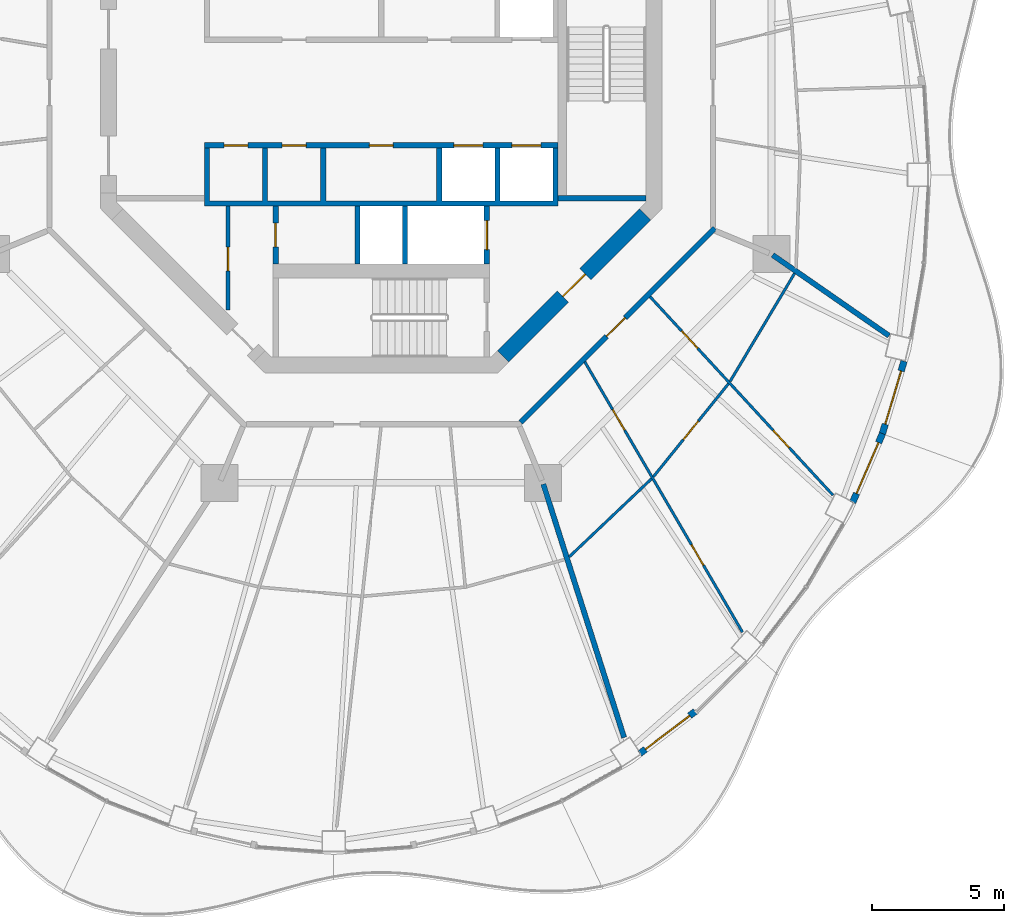
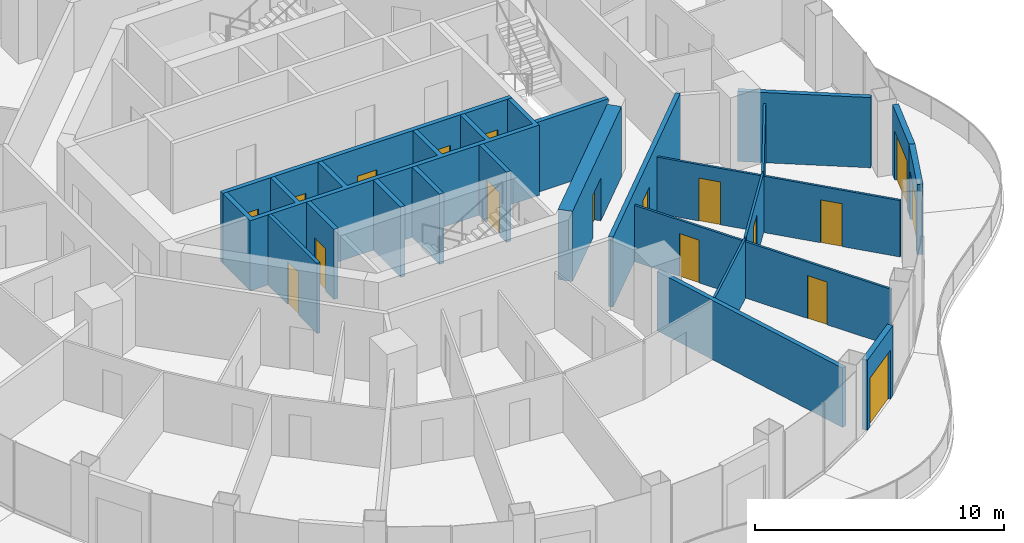
# One storey, part 11 of 17: 20 walls, 18 doors, 18 openings.
"""IFC4 building model written with IfcOpenShell, lengths in metres."""

from ifc_helpers import new_model, si_unit, direction, frame, frame_2d, origin, place, context, subcontext, project, spatial, polyline, rectangle, outline, extrude, material, layer, layer_set, type_object, element, fill, save


model = new_model("IFC4")

# Units and contexts
model_context = context("Model", 3, precision=1e-05, world=origin(), true_north=direction((0.0, 1.0)))
body_context = subcontext(model_context, "Body", "Model", "MODEL_VIEW")
ifc_project = project(units=[si_unit("LENGTHUNIT", "METRE"), si_unit("AREAUNIT", "SQUARE_METRE"), si_unit("VOLUMEUNIT", "CUBIC_METRE"), si_unit("PLANEANGLEUNIT", "RADIAN"), si_unit("MASSUNIT", "GRAM", prefix="KILO")], contexts=[model_context])

# Site, building, storey
site_placement = place(None, origin())
site = spatial("IfcSite", under=ifc_project, at=site_placement, CompositionType="ELEMENT")
building_placement = place(site_placement, origin())
building = spatial("IfcBuilding", under=site, at=building_placement, Name="Nagisa Residences", CompositionType="ELEMENT")
storey_placement = place(building_placement, frame((0.0, 0.0, 288.10009765625)))
storey = spatial("IfcBuildingStorey", under=building, at=storey_placement, Name="L73", CompositionType="ELEMENT", Elevation=288.10009765625)

# Walls
ifc_material_1 = material(Name="Gypsum board on steel studs", Category="steel")
ifc_layer_1 = layer(ifc_material_1, 0.199951171875)
ifc_layer_set_1 = layer_set([ifc_layer_1], Name="Apartment compartment wall EI60 200")
wall_type_1 = type_object("IfcWallType", Name="Apartment compartment wall EI60 200", PredefinedType="PARTITIONING", material=ifc_layer_set_1)
wall_1_placement = place(storey_placement, frame((6.13818359375, -14.82958984375, 0.0), z_axis=(0.0, 0.0, 1.0), x_axis=(0.303653679037, -0.952782474234, 0.0)))
element("IfcWall", 1, at=wall_1_placement, inside=storey, type_object=wall_type_1, Name="wall:L73:u11", PredefinedType="PARTITIONING", context=body_context, shape_type="SweptSolid", body=[
    extrude(rectangle(XDim=10.075927734375, YDim=0.199951171875, at=frame_2d((5.0380859375, 0.0))), origin(), (0.0, 0.0, 1.0), 2.90478515625),
])
wall_2_placement = place(storey_placement, frame((14.8232421875, -6.1513671875, 0.0), z_axis=(0.0, 0.0, 1.0), x_axis=(0.821435065081, -0.570302054928, 0.0)))
element("IfcWall", 2, at=wall_2_placement, inside=storey, type_object=wall_type_1, Name="wall:L73:u13", PredefinedType="PARTITIONING", context=body_context, shape_type="SweptSolid", body=[
    extrude(rectangle(XDim=5.3681640625, YDim=0.199951171875, at=frame_2d((2.68408203125, 0.0))), origin(), (0.0, 0.0, 1.0), 3.43994140625),
])

# Wall, opening, door
ifc_material_2 = material(Name="Gypsum board on steel studs", Category="steel")
ifc_layer_2 = layer(ifc_material_2, 0.199951171875)
ifc_layer_set_2 = layer_set([ifc_layer_2], Name="Apartment entry wall EI60 200")
wall_type_2 = type_object("IfcWallType", Name="Apartment entry wall EI60 200", PredefinedType="PARTITIONING", material=ifc_layer_set_2)
wall_3_placement = place(storey_placement, frame((5.275146484375, -12.494140625, 0.0), z_axis=(0.0, 0.0, 1.0), x_axis=(0.707106781187, 0.707106781187, 0.0)))
wall_3 = element("IfcWall", 3, at=wall_3_placement, inside=storey, type_object=wall_type_2, Name="wall:L73:u21", PredefinedType="PARTITIONING", context=body_context, shape_type="SweptSolid", body=[
    extrude(rectangle(XDim=10.4091796875, YDim=0.199951171875, at=frame_2d((5.20458984375, 0.0))), origin(), (0.0, 0.0, 1.0), 3.43994140625),
])
opening_1_placement = place(wall_3_placement, frame((4.6044921875, 0.0, 0.0)))
opening_1 = element("IfcOpeningElement", 4, at=opening_1_placement, cuts=wall_3, Name="Opening L73-U14", PredefinedType="OPENING", context=body_context, shape_type="SweptSolid", body=[
    extrude(rectangle(XDim=1.0, YDim=2.10009765625, at=frame_2d((0.5, 1.050048828125))), frame((0.0, 0.10986328125, 0.0), z_axis=(0.0, -1.0, 0.0), x_axis=(1.0, 0.0, 0.0)), (0.0, 0.0, 1.0), 0.219970703125),
])
ifc_material_3 = material(Name="Timber fire door set", Category="wood")
door_type_1 = type_object("IfcDoorType", Name="Apartment entry door FD30S 1000x2100", OperationType="NOTDEFINED", PredefinedType="DOOR", material=ifc_material_3)
door_1_placement = place(opening_1_placement, frame((1.0, 0.0, 0.0), x_axis=(-1.0, 0.0, 0.0)))
door_1 = element("IfcDoor", 5, at=door_1_placement, inside=storey, type_object=door_type_1, Name="Entry door, Apartment 73C", OperationType="SINGLE_SWING_LEFT", OverallHeight=2.10009765625, OverallWidth=1.0, PredefinedType="DOOR", context=body_context, shape_type="SweptSolid", body=[
    extrude(rectangle(XDim=1.0, YDim=2.10009765625, at=frame_2d((0.5, 1.050048828125))), frame((0.0, 0.02490234375, 0.0), z_axis=(0.0, -1.0, 0.0), x_axis=(1.0, 0.0, 0.0)), (0.0, 0.0, 1.0), 0.050048828125),
])
fill(opening_1, door_1)

# Wall
ifc_material_4 = material(Name="Gypsum board on steel studs", Category="steel")
ifc_layer_3 = layer(ifc_material_4, 0.10009765625)
ifc_layer_set_3 = layer_set([ifc_layer_3], Name="Apartment partition 100")
wall_type_3 = type_object("IfcWallType", Name="Apartment partition 100", PredefinedType="PARTITIONING", material=ifc_layer_set_3)
wall_4_placement = place(storey_placement, frame((7.113037109375, -17.592041015625, 0.0), z_axis=(0.0, 0.0, 1.0), x_axis=(0.725433932329, 0.688291805723, 0.0)))
element("IfcWall", 6, at=wall_4_placement, inside=storey, type_object=wall_type_3, Name="wall:L73:u64", PredefinedType="PARTITIONING", context=body_context, shape_type="SweptSolid", body=[
    extrude(rectangle(XDim=4.305419921875, YDim=0.10009765625, at=frame_2d((2.15283203125, 0.0))), origin(), (0.0, 0.0, 1.0), 2.90478515625),
])

# Wall, openings, doors
wall_5_placement = place(storey_placement, frame((7.708251953125, -10.19775390625, 0.0), z_axis=(0.0, 0.0, 1.0), x_axis=(0.503839015963, -0.863797572347, 0.0)))
wall_5 = element("IfcWall", 7, at=wall_5_placement, inside=storey, type_object=wall_type_3, Name="wall:L73:u65", PredefinedType="PARTITIONING", context=body_context, shape_type="SweptSolid", body=[
    extrude(rectangle(XDim=11.855712890625, YDim=0.10009765625, at=frame_2d((5.927734375, 0.0))), origin(), (0.0, 0.0, 1.0), 2.761962890625),
])
opening_2_placement = place(wall_5_placement, frame((2.094970703125, 0.0, 0.0)))
opening_2 = element("IfcOpeningElement", 8, at=opening_2_placement, cuts=wall_5, Name="Opening L73-U15", PredefinedType="OPENING", context=body_context, shape_type="SweptSolid", body=[
    extrude(rectangle(XDim=0.89990234375, YDim=2.10009765625, at=frame_2d((0.449951171875, 1.050048828125))), frame((0.0, 0.06005859375, 0.0), z_axis=(0.0, -1.0, 0.0), x_axis=(1.0, 0.0, 0.0)), (0.0, 0.0, 1.0), 0.1201171875),
])
opening_3_placement = place(wall_5_placement, frame((8.022705078125, 0.0, 0.0)))
opening_3 = element("IfcOpeningElement", 9, at=opening_3_placement, cuts=wall_5, Name="Opening L73-U19", PredefinedType="OPENING", context=body_context, shape_type="SweptSolid", body=[
    extrude(rectangle(XDim=0.89990234375, YDim=2.10009765625, at=frame_2d((0.449951171875, 1.050048828125))), frame((0.0, 0.06005859375, 0.0), z_axis=(0.0, -1.0, 0.0), x_axis=(1.0, 0.0, 0.0)), (0.0, 0.0, 1.0), 0.1201171875),
])
ifc_material_5 = material(Name="Timber door set", Category="wood")
door_type_2 = type_object("IfcDoorType", Name="Apartment door 900x2100", OperationType="NOTDEFINED", PredefinedType="DOOR", material=ifc_material_5)
door_2_placement = place(opening_2_placement, frame((0.89990234375, 0.0, 0.0), x_axis=(-1.0, 0.0, 0.0)))
door_2 = element("IfcDoor", 10, at=door_2_placement, inside=storey, type_object=door_type_2, Name="Door to family bathroom, Apartment 73C", OperationType="SINGLE_SWING_RIGHT", OverallHeight=2.10009765625, OverallWidth=0.89990234375, PredefinedType="DOOR", context=body_context, shape_type="SweptSolid", body=[
    extrude(rectangle(XDim=0.89990234375, YDim=2.10009765625, at=frame_2d((0.449951171875, 1.050048828125))), frame((0.0, 0.02490234375, 0.0), z_axis=(0.0, -1.0, 0.0), x_axis=(1.0, 0.0, 0.0)), (0.0, 0.0, 1.0), 0.050048828125),
])
fill(opening_2, door_2)
door_3_placement = place(opening_3_placement, frame((0.89990234375, 0.0, 0.0), x_axis=(-1.0, 0.0, 0.0)))
door_3 = element("IfcDoor", 11, at=door_3_placement, inside=storey, type_object=door_type_2, Name="Door to living room, Apartment 73C", OperationType="SINGLE_SWING_RIGHT", OverallHeight=2.10009765625, OverallWidth=0.89990234375, PredefinedType="DOOR", context=body_context, shape_type="SweptSolid", body=[
    extrude(rectangle(XDim=0.89990234375, YDim=2.10009765625, at=frame_2d((0.449951171875, 1.050048828125))), frame((0.0, 0.02490234375, 0.0), z_axis=(0.0, -1.0, 0.0), x_axis=(1.0, 0.0, 0.0)), (0.0, 0.0, 1.0), 0.050048828125),
])
fill(opening_3, door_3)

# Wall, opening, door
wall_6_placement = place(storey_placement, frame((10.303955078125, -14.555419921875, 0.0), z_axis=(0.0, 0.0, 1.0), x_axis=(0.628170338674, 0.778075848237, 0.0)))
wall_6 = element("IfcWall", 12, at=wall_6_placement, inside=storey, type_object=wall_type_3, Name="wall:L73:u66", PredefinedType="PARTITIONING", context=body_context, shape_type="SweptSolid", body=[
    extrude(rectangle(XDim=4.532470703125, YDim=0.10009765625, at=frame_2d((2.26611328125, 0.0))), origin(), (0.0, 0.0, 1.0), 2.90478515625),
])
opening_4_placement = place(wall_6_placement, frame((1.816162109375, 0.0, 0.0)))
opening_4 = element("IfcOpeningElement", 13, at=opening_4_placement, cuts=wall_6, Name="Opening L73-U17", PredefinedType="OPENING", context=body_context, shape_type="SweptSolid", body=[
    extrude(rectangle(XDim=0.89990234375, YDim=2.10009765625, at=frame_2d((0.449951171875, 1.050048828125))), frame((0.0, 0.06005859375, 0.0), z_axis=(0.0, -1.0, 0.0), x_axis=(1.0, 0.0, 0.0)), (0.0, 0.0, 1.0), 0.1201171875),
])
door_4_placement = place(opening_4_placement, frame((0.89990234375, 0.0, 0.0), x_axis=(-1.0, 0.0, 0.0)))
door_4 = element("IfcDoor", 14, at=door_4_placement, inside=storey, type_object=door_type_2, Name="Door to kitchen, Apartment 73C", OperationType="SINGLE_SWING_RIGHT", OverallHeight=2.10009765625, OverallWidth=0.89990234375, PredefinedType="DOOR", context=body_context, shape_type="SweptSolid", body=[
    extrude(rectangle(XDim=0.89990234375, YDim=2.10009765625, at=frame_2d((0.449951171875, 1.050048828125))), frame((0.0, 0.02490234375, 0.0), z_axis=(0.0, -1.0, 0.0), x_axis=(1.0, 0.0, 0.0)), (0.0, 0.0, 1.0), 0.050048828125),
])
fill(opening_4, door_4)

# Wall, openings, doors
wall_7_placement = place(storey_placement, frame((10.17919921875, -7.7314453125, 0.0), z_axis=(0.0, 0.0, 1.0), x_axis=(0.67775318564, -0.73528947997, 0.0)))
wall_7 = element("IfcWall", 15, at=wall_7_placement, inside=storey, type_object=wall_type_3, Name="wall:L73:u67", PredefinedType="PARTITIONING", context=body_context, shape_type="SweptSolid", body=[
    extrude(rectangle(XDim=10.221923828125, YDim=0.10009765625, at=frame_2d((5.11083984375, 0.0))), origin(), (0.0, 0.0, 1.0), 2.761962890625),
])
opening_5_placement = place(wall_7_placement, frame((1.765625, 0.0, 0.0)))
opening_5 = element("IfcOpeningElement", 16, at=opening_5_placement, cuts=wall_7, Name="Opening L73-U16", PredefinedType="OPENING", context=body_context, shape_type="SweptSolid", body=[
    extrude(rectangle(XDim=0.89990234375, YDim=2.10009765625, at=frame_2d((0.449951171875, 1.050048828125))), frame((0.0, 0.06005859375, 0.0), z_axis=(0.0, -1.0, 0.0), x_axis=(1.0, 0.0, 0.0)), (0.0, 0.0, 1.0), 0.1201171875),
])
opening_6_placement = place(wall_7_placement, frame((6.876708984375, 0.0, 0.0)))
opening_6 = element("IfcOpeningElement", 17, at=opening_6_placement, cuts=wall_7, Name="Opening L73-U18", PredefinedType="OPENING", context=body_context, shape_type="SweptSolid", body=[
    extrude(rectangle(XDim=0.89990234375, YDim=2.10009765625, at=frame_2d((0.449951171875, 1.050048828125))), frame((0.0, 0.06005859375, 0.0), z_axis=(0.0, -1.0, 0.0), x_axis=(1.0, 0.0, 0.0)), (0.0, 0.0, 1.0), 0.1201171875),
])
door_5_placement = place(opening_5_placement, origin())
door_5 = element("IfcDoor", 18, at=door_5_placement, inside=storey, type_object=door_type_2, Name="Door to laundry, Apartment 73C", OperationType="SINGLE_SWING_RIGHT", OverallHeight=2.10009765625, OverallWidth=0.89990234375, PredefinedType="DOOR", context=body_context, shape_type="SweptSolid", body=[
    extrude(rectangle(XDim=0.89990234375, YDim=2.10009765625, at=frame_2d((0.449951171875, 1.050048828125))), frame((0.0, 0.02490234375, 0.0), z_axis=(0.0, -1.0, 0.0), x_axis=(1.0, 0.0, 0.0)), (0.0, 0.0, 1.0), 0.050048828125),
])
fill(opening_5, door_5)
door_6_placement = place(opening_6_placement, origin())
door_6 = element("IfcDoor", 19, at=door_6_placement, inside=storey, type_object=door_type_2, Name="Door to master bedroom, Apartment 73C", OperationType="SINGLE_SWING_RIGHT", OverallHeight=2.10009765625, OverallWidth=0.89990234375, PredefinedType="DOOR", context=body_context, shape_type="SweptSolid", body=[
    extrude(rectangle(XDim=0.89990234375, YDim=2.10009765625, at=frame_2d((0.449951171875, 1.050048828125))), frame((0.0, 0.02490234375, 0.0), z_axis=(0.0, -1.0, 0.0), x_axis=(1.0, 0.0, 0.0)), (0.0, 0.0, 1.0), 0.050048828125),
])
fill(opening_6, door_6)

# Wall
wall_8_placement = place(storey_placement, frame((13.208251953125, -10.947021484375, 0.0), z_axis=(0.0, 0.0, 1.0), x_axis=(0.512726452516, 0.858552028063, 0.0)))
element("IfcWall", 20, at=wall_8_placement, inside=storey, type_object=wall_type_3, Name="wall:L73:u68", PredefinedType="PARTITIONING", context=body_context, shape_type="SweptSolid", body=[
    extrude(rectangle(XDim=4.771728515625, YDim=0.10009765625, at=frame_2d((2.3857421875, 0.0))), origin(), (0.0, 0.0, 1.0), 2.90478515625),
])

# Wall, opening, door
ifc_material_6 = material(Name="Precast concrete C40/50", Category="concrete")
ifc_layer_4 = layer(ifc_material_6, 0.25)
ifc_layer_set_4 = layer_set([ifc_layer_4], Name="BALCONY DOOR WALL 250")
wall_type_4 = type_object("IfcWallType", Name="BALCONY DOOR WALL 250", PredefinedType="SOLIDWALL", material=ifc_layer_set_4)
wall_9_placement = place(storey_placement, frame((11.89453125, -23.439208984375, 0.0), z_axis=(0.0, 0.0, 1.0), x_axis=(-0.796055284084, -0.605223912847, 0.0)))
wall_9 = element("IfcWall", 21, at=wall_9_placement, inside=storey, type_object=wall_type_4, Name="wall:L73:bay40", PredefinedType="SOLIDWALL", context=body_context, shape_type="SweptSolid", body=[
    extrude(rectangle(XDim=2.640625, YDim=0.25, at=frame_2d((1.3203125, 0.0))), origin(), (0.0, 0.0, 1.0), 3.43994140625),
])
opening_7_placement = place(wall_9_placement, frame((0.270263671875, 0.0, 0.0)))
opening_7 = element("IfcOpeningElement", 22, at=opening_7_placement, cuts=wall_9, Name="Opening BD-L73-14", PredefinedType="OPENING", context=body_context, shape_type="SweptSolid", body=[
    extrude(rectangle(XDim=2.10009765625, YDim=2.39990234375, at=frame_2d((1.050048828125, 1.199951171875))), frame((0.0, 0.135009765625, 0.0), z_axis=(0.0, -1.0, 0.0), x_axis=(1.0, 0.0, 0.0)), (0.0, 0.0, 1.0), 0.27001953125),
])
ifc_material_7 = material(Name="Aluminium and clear glass", Category="aluminium")
door_type_3 = type_object("IfcDoorType", Name="BALCONY SLIDING DOOR 2100x2400", OperationType="SLIDING_TO_LEFT", PredefinedType="DOOR", material=ifc_material_7)
door_7_placement = place(opening_7_placement, origin())
door_7 = element("IfcDoor", 23, at=door_7_placement, inside=storey, type_object=door_type_3, Name="door:L73:bay40", OperationType="SLIDING_TO_LEFT", OverallHeight=2.39990234375, OverallWidth=2.10009765625, PredefinedType="DOOR", context=body_context, shape_type="SweptSolid", body=[
    extrude(rectangle(XDim=2.10009765625, YDim=2.39990234375, at=frame_2d((1.050048828125, 1.199951171875))), frame((0.0, 0.02490234375, 0.0), z_axis=(0.0, -1.0, 0.0), x_axis=(1.0, 0.0, 0.0)), (0.0, 0.0, 1.0), 0.050048828125),
])
fill(opening_7, door_7)

wall_10_placement = place(storey_placement, frame((18.9833984375, -12.918212890625, 0.0), z_axis=(0.0, 0.0, 1.0), x_axis=(-0.397597791596, -0.9175598052, 0.0)))
wall_10 = element("IfcWall", 24, at=wall_10_placement, inside=storey, type_object=wall_type_4, Name="wall:L73:bay44", PredefinedType="SOLIDWALL", context=body_context, shape_type="SweptSolid", body=[
    extrude(rectangle(XDim=2.841064453125, YDim=0.25, at=frame_2d((1.42041015625, 0.0))), origin(), (0.0, 0.0, 1.0), 3.43994140625),
])
opening_8_placement = place(wall_10_placement, frame((0.37060546875, 0.0, 0.0)))
opening_8 = element("IfcOpeningElement", 25, at=opening_8_placement, cuts=wall_10, Name="Opening BD-L73-15", PredefinedType="OPENING", context=body_context, shape_type="SweptSolid", body=[
    extrude(rectangle(XDim=2.10009765625, YDim=2.39990234375, at=frame_2d((1.050048828125, 1.199951171875))), frame((0.0, 0.135009765625, 0.0), z_axis=(0.0, -1.0, 0.0), x_axis=(1.0, 0.0, 0.0)), (0.0, 0.0, 1.0), 0.27001953125),
])
door_8_placement = place(opening_8_placement, origin())
door_8 = element("IfcDoor", 26, at=door_8_placement, inside=storey, type_object=door_type_3, Name="door:L73:bay44", OperationType="SLIDING_TO_LEFT", OverallHeight=2.39990234375, OverallWidth=2.10009765625, PredefinedType="DOOR", context=body_context, shape_type="SweptSolid", body=[
    extrude(rectangle(XDim=2.10009765625, YDim=2.39990234375, at=frame_2d((1.050048828125, 1.199951171875))), frame((0.0, 0.02490234375, 0.0), z_axis=(0.0, -1.0, 0.0), x_axis=(1.0, 0.0, 0.0)), (0.0, 0.0, 1.0), 0.050048828125),
])
fill(opening_8, door_8)

wall_11_placement = place(storey_placement, frame((19.80078125, -10.17529296875, 0.0), z_axis=(0.0, 0.0, 1.0), x_axis=(-0.285899456462, -0.958259620768, 0.0)))
wall_11 = element("IfcWall", 27, at=wall_11_placement, inside=storey, type_object=wall_type_4, Name="wall:L73:bay45", PredefinedType="SOLIDWALL", context=body_context, shape_type="SweptSolid", body=[
    extrude(rectangle(XDim=2.876953125, YDim=0.25, at=frame_2d((1.4384765625, 0.0))), origin(), (0.0, 0.0, 1.0), 3.43994140625),
])
opening_9_placement = place(wall_11_placement, frame((0.388671875, 0.0, 0.0)))
opening_9 = element("IfcOpeningElement", 28, at=opening_9_placement, cuts=wall_11, Name="Opening BD-L73-16", PredefinedType="OPENING", context=body_context, shape_type="SweptSolid", body=[
    extrude(rectangle(XDim=2.10009765625, YDim=2.39990234375, at=frame_2d((1.050048828125, 1.199951171875))), frame((0.0, 0.135009765625, 0.0), z_axis=(0.0, -1.0, 0.0), x_axis=(1.0, 0.0, 0.0)), (0.0, 0.0, 1.0), 0.27001953125),
])
door_9_placement = place(opening_9_placement, origin())
door_9 = element("IfcDoor", 29, at=door_9_placement, inside=storey, type_object=door_type_3, Name="door:L73:bay45", OperationType="SLIDING_TO_LEFT", OverallHeight=2.39990234375, OverallWidth=2.10009765625, PredefinedType="DOOR", context=body_context, shape_type="SweptSolid", body=[
    extrude(rectangle(XDim=2.10009765625, YDim=2.39990234375, at=frame_2d((1.050048828125, 1.199951171875))), frame((0.0, 0.02490234375, 0.0), z_axis=(0.0, -1.0, 0.0), x_axis=(1.0, 0.0, 0.0)), (0.0, 0.0, 1.0), 0.050048828125),
])
fill(opening_9, door_9)

ifc_material_8 = material(Name="Gypsum board on steel studs", Category="steel")
ifc_layer_5 = layer(ifc_material_8, 0.14990234375)
ifc_layer_set_5 = layer_set([ifc_layer_5], Name="Core partition 150")
wall_type_5 = type_object("IfcWallType", Name="Core partition 150", PredefinedType="PARTITIONING", material=ifc_layer_set_5)
wall_12_placement = place(storey_placement, frame((-5.800048828125, -8.22705078125, 0.0), z_axis=(0.0, 0.0, 1.0), x_axis=(0.0, 1.0, 0.0)))
wall_12 = element("IfcWall", 30, at=wall_12_placement, inside=storey, type_object=wall_type_5, Name="wall:L73:SWp", PredefinedType="PARTITIONING", context=body_context, shape_type="SweptSolid", body=[
    extrude(rectangle(XDim=3.927001953125, YDim=0.14990234375, at=frame_2d((1.96337890625, 0.0))), origin(), (0.0, 0.0, 1.0), 3.43994140625),
])
opening_10_placement = place(wall_12_placement, frame((1.47607421875, 0.0, 0.0)))
opening_10 = element("IfcOpeningElement", 31, at=opening_10_placement, cuts=wall_12, Name="Opening L73-C11", PredefinedType="OPENING", context=body_context, shape_type="SweptSolid", body=[
    extrude(rectangle(XDim=0.89990234375, YDim=2.10009765625, at=frame_2d((0.449951171875, 1.050048828125))), frame((0.0, 0.0849609375, 0.0), z_axis=(0.0, -1.0, 0.0), x_axis=(1.0, 0.0, 0.0)), (0.0, 0.0, 1.0), 0.169921875),
])
ifc_material_9 = material(Name="Steel fire door", Category="steel")
door_type_4 = type_object("IfcDoorType", Name="Fire door EI30 900x2100 single swing", OperationType="NOTDEFINED", PredefinedType="DOOR", material=ifc_material_9)
door_10_placement = place(opening_10_placement, origin())
door_10 = element("IfcDoor", 32, at=door_10_placement, inside=storey, type_object=door_type_4, Name="Telecom room door L73", OperationType="SINGLE_SWING_RIGHT", OverallHeight=2.10009765625, OverallWidth=0.89990234375, PredefinedType="DOOR", context=body_context, shape_type="SweptSolid", body=[
    extrude(rectangle(XDim=0.89990234375, YDim=2.10009765625, at=frame_2d((0.449951171875, 1.050048828125))), frame((0.0, 0.02490234375, 0.0), z_axis=(0.0, -1.0, 0.0), x_axis=(1.0, 0.0, 0.0)), (0.0, 0.0, 1.0), 0.050048828125),
])
fill(opening_10, door_10)

ifc_material_10 = material(Name="Concrete C60", Category="concrete")
ifc_layer_6 = layer(ifc_material_10, 0.60009765625)
ifc_layer_set_6 = layer_set([ifc_layer_6], Name="Core shear wall 600")
wall_type_6 = type_object("IfcWallType", Name="Core shear wall 600", PredefinedType="SHEAR", material=ifc_layer_set_6)
wall_13_placement = place(storey_placement, frame((4.613037109375, -9.98828125, 0.0), z_axis=(0.0, 0.0, 1.0), x_axis=(0.707106781187, 0.707106781187, 0.0)))
wall_13 = element("IfcWall", 33, at=wall_13_placement, inside=storey, type_object=wall_type_6, Name="wall:L73:core:flat7", PredefinedType="SHEAR", context=body_context, shape_type="SweptSolid", body=[
    extrude(rectangle(XDim=7.601806640625, YDim=0.60009765625, at=frame_2d((3.80078125, 0.0))), origin(), (0.0, 0.0, 1.0), 3.43994140625),
])
opening_11_placement = place(wall_13_placement, frame((3.200927734375, 0.0, 0.0)))
opening_11 = element("IfcOpeningElement", 34, at=opening_11_placement, cuts=wall_13, Name="Opening L73-C19", PredefinedType="OPENING", context=body_context, shape_type="SweptSolid", body=[
    extrude(rectangle(XDim=1.199951171875, YDim=2.10009765625, at=frame_2d((0.60009765625, 1.050048828125))), frame((0.0, 0.31005859375, 0.0), z_axis=(0.0, -1.0, 0.0), x_axis=(1.0, 0.0, 0.0)), (0.0, 0.0, 1.0), 0.6201171875),
])
ifc_material_11 = material(Name="Steel fire door", Category="steel")
door_type_5 = type_object("IfcDoorType", Name="Fire door EI60 1200x2100 single swing", OperationType="NOTDEFINED", PredefinedType="DOOR", material=ifc_material_11)
door_11_placement = place(opening_11_placement, origin())
door_11 = element("IfcDoor", 35, at=door_11_placement, inside=storey, type_object=door_type_5, Name="Firefighting lobby 2 door L73", OperationType="SINGLE_SWING_LEFT", OverallHeight=2.10009765625, OverallWidth=1.199951171875, PredefinedType="DOOR", context=body_context, shape_type="SweptSolid", body=[
    extrude(rectangle(XDim=1.199951171875, YDim=2.10009765625, at=frame_2d((0.60009765625, 1.050048828125))), frame((0.0, 0.02490234375, 0.0), z_axis=(0.0, -1.0, 0.0), x_axis=(1.0, 0.0, 0.0)), (0.0, 0.0, 1.0), 0.050048828125),
])
fill(opening_11, door_11)

ifc_material_12 = material(Name="Concrete C60", Category="concrete")
ifc_layer_7 = layer(ifc_material_12, 0.199951171875)
ifc_layer_set_7 = layer_set([ifc_layer_7], Name="Lift shaft wall 200")
wall_type_7 = type_object("IfcWallType", Name="Lift shaft wall 200", PredefinedType="SOLIDWALL", material=ifc_layer_set_7)
wall_14_placement = place(storey_placement, frame((4.0, -6.5, 0.0), z_axis=(0.0, 0.0, 1.0), x_axis=(0.0, 1.0, 0.0)))
wall_14 = element("IfcWall", 36, at=wall_14_placement, inside=storey, type_object=wall_type_7, Name="wall:L73:Sb3", PredefinedType="SOLIDWALL", context=body_context, shape_type="SweptSolid", body=[
    extrude(rectangle(XDim=2.199951171875, YDim=0.199951171875, at=frame_2d((1.10009765625, 0.0))), origin(), (0.0, 0.0, 1.0), 3.43994140625),
])
opening_12_placement = place(wall_14_placement, frame((0.550048828125, 0.0, 0.0)))
opening_12 = element("IfcOpeningElement", 37, at=opening_12_placement, cuts=wall_14, Name="Opening L73-C05", PredefinedType="OPENING", context=body_context, shape_type="SweptSolid", body=[
    extrude(rectangle(XDim=1.10009765625, YDim=2.10009765625, at=frame_2d((0.550048828125, 1.050048828125))), frame((0.0, 0.10986328125, 0.0), z_axis=(0.0, -1.0, 0.0), x_axis=(1.0, 0.0, 0.0)), (0.0, 0.0, 1.0), 0.219970703125),
])
ifc_material_13 = material(Name="Stainless steel", Category="steel")
door_type_6 = type_object("IfcDoorType", Name="Lift landing door 1100x2100", OperationType="DOUBLE_DOOR_SLIDING", PredefinedType="DOOR", material=ifc_material_13)
door_12_placement = place(opening_12_placement, origin())
door_12 = element("IfcDoor", 38, at=door_12_placement, inside=storey, type_object=door_type_6, Name="Landing door FL2 L73", OperationType="DOUBLE_DOOR_SLIDING", OverallHeight=2.10009765625, OverallWidth=1.10009765625, PredefinedType="DOOR", context=body_context, shape_type="SweptSolid", body=[
    extrude(rectangle(XDim=1.10009765625, YDim=2.10009765625, at=frame_2d((0.550048828125, 1.050048828125))), frame((0.0, 0.02490234375, 0.0), z_axis=(0.0, -1.0, 0.0), x_axis=(1.0, 0.0, 0.0)), (0.0, 0.0, 1.0), 0.050048828125),
])
fill(opening_12, door_12)

wall_15_placement = place(storey_placement, frame((-4.0, -6.5, 0.0), z_axis=(0.0, 0.0, 1.0), x_axis=(0.0, 1.0, 0.0)))
wall_15 = element("IfcWall", 39, at=wall_15_placement, inside=storey, type_object=wall_type_7, Name="wall:L73:Sb4", PredefinedType="SOLIDWALL", context=body_context, shape_type="SweptSolid", body=[
    extrude(rectangle(XDim=2.199951171875, YDim=0.199951171875, at=frame_2d((1.10009765625, 0.0))), origin(), (0.0, 0.0, 1.0), 3.43994140625),
])
opening_13_placement = place(wall_15_placement, frame((0.64990234375, 0.0, 0.0)))
opening_13 = element("IfcOpeningElement", 40, at=opening_13_placement, cuts=wall_15, Name="Opening L73-C12", PredefinedType="OPENING", context=body_context, shape_type="SweptSolid", body=[
    extrude(rectangle(XDim=0.89990234375, YDim=2.10009765625, at=frame_2d((0.449951171875, 1.050048828125))), frame((0.0, 0.10986328125, 0.0), z_axis=(0.0, -1.0, 0.0), x_axis=(1.0, 0.0, 0.0)), (0.0, 0.0, 1.0), 0.219970703125),
])
door_13_placement = place(opening_13_placement, frame((0.89990234375, 0.0, 0.0), x_axis=(-1.0, 0.0, 0.0)))
door_13 = element("IfcDoor", 41, at=door_13_placement, inside=storey, type_object=door_type_4, Name="Refuse room door L73", OperationType="SINGLE_SWING_RIGHT", OverallHeight=2.10009765625, OverallWidth=0.89990234375, PredefinedType="DOOR", context=body_context, shape_type="SweptSolid", body=[
    extrude(rectangle(XDim=0.89990234375, YDim=2.10009765625, at=frame_2d((0.449951171875, 1.050048828125))), frame((0.0, 0.02490234375, 0.0), z_axis=(0.0, -1.0, 0.0), x_axis=(1.0, 0.0, 0.0)), (0.0, 0.0, 1.0), 0.050048828125),
])
fill(opening_13, door_13)

# Wall, openings, doors
wall_16_placement = place(storey_placement, frame((-6.699951171875, -2.0, 0.0), z_axis=(0.0, 0.0, 1.0), x_axis=(1.0, 0.0, 0.0)))
wall_16 = element("IfcWall", 42, at=wall_16_placement, inside=storey, type_object=wall_type_7, Name="wall:L73:Sfront", PredefinedType="SOLIDWALL", context=body_context, shape_type="SweptSolid", body=[
    extrude(rectangle(XDim=13.39990234375, YDim=0.199951171875, at=frame_2d((6.699951171875, 0.0))), origin(), (0.0, 0.0, 1.0), 3.43994140625),
])
opening_14_placement = place(wall_16_placement, frame((9.449951171875, 0.0, 0.0)))
opening_14 = element("IfcOpeningElement", 43, at=opening_14_placement, cuts=wall_16, Name="Opening L73-C02", PredefinedType="OPENING", context=body_context, shape_type="SweptSolid", body=[
    extrude(rectangle(XDim=1.10009765625, YDim=2.10009765625, at=frame_2d((0.550048828125, 1.050048828125))), frame((0.0, 0.10986328125, 0.0), z_axis=(0.0, -1.0, 0.0), x_axis=(1.0, 0.0, 0.0)), (0.0, 0.0, 1.0), 0.219970703125),
])
opening_15_placement = place(wall_16_placement, frame((11.64990234375, 0.0, 0.0)))
opening_15 = element("IfcOpeningElement", 44, at=opening_15_placement, cuts=wall_16, Name="Opening L73-C03", PredefinedType="OPENING", context=body_context, shape_type="SweptSolid", body=[
    extrude(rectangle(XDim=1.10009765625, YDim=2.10009765625, at=frame_2d((0.550048828125, 1.050048828125))), frame((0.0, 0.10986328125, 0.0), z_axis=(0.0, -1.0, 0.0), x_axis=(1.0, 0.0, 0.0)), (0.0, 0.0, 1.0), 0.219970703125),
])
opening_16_placement = place(wall_16_placement, frame((0.75, 0.0, 0.0)))
opening_16 = element("IfcOpeningElement", 45, at=opening_16_placement, cuts=wall_16, Name="Opening L73-C15", PredefinedType="OPENING", context=body_context, shape_type="SweptSolid", body=[
    extrude(rectangle(XDim=0.89990234375, YDim=2.10009765625, at=frame_2d((0.449951171875, 1.050048828125))), frame((0.0, 0.10986328125, 0.0), z_axis=(0.0, -1.0, 0.0), x_axis=(1.0, 0.0, 0.0)), (0.0, 0.0, 1.0), 0.219970703125),
])
opening_17_placement = place(wall_16_placement, frame((2.949951171875, 0.0, 0.0)))
opening_17 = element("IfcOpeningElement", 46, at=opening_17_placement, cuts=wall_16, Name="Opening L73-C16", PredefinedType="OPENING", context=body_context, shape_type="SweptSolid", body=[
    extrude(rectangle(XDim=0.89990234375, YDim=2.10009765625, at=frame_2d((0.449951171875, 1.050048828125))), frame((0.0, 0.10986328125, 0.0), z_axis=(0.0, -1.0, 0.0), x_axis=(1.0, 0.0, 0.0)), (0.0, 0.0, 1.0), 0.219970703125),
])
opening_18_placement = place(wall_16_placement, frame((6.25, 0.0, 0.0)))
opening_18 = element("IfcOpeningElement", 47, at=opening_18_placement, cuts=wall_16, Name="Opening L73-C17", PredefinedType="OPENING", context=body_context, shape_type="SweptSolid", body=[
    extrude(rectangle(XDim=0.89990234375, YDim=2.10009765625, at=frame_2d((0.449951171875, 1.050048828125))), frame((0.0, 0.10986328125, 0.0), z_axis=(0.0, -1.0, 0.0), x_axis=(1.0, 0.0, 0.0)), (0.0, 0.0, 1.0), 0.219970703125),
])
door_14_placement = place(opening_16_placement, frame((0.89990234375, 0.0, 0.0), x_axis=(-1.0, 0.0, 0.0)))
door_14 = element("IfcDoor", 48, at=door_14_placement, inside=storey, type_object=door_type_4, Name="Stationery store door L73", OperationType="SINGLE_SWING_RIGHT", OverallHeight=2.10009765625, OverallWidth=0.89990234375, PredefinedType="DOOR", context=body_context, shape_type="SweptSolid", body=[
    extrude(rectangle(XDim=0.89990234375, YDim=2.10009765625, at=frame_2d((0.449951171875, 1.050048828125))), frame((0.0, 0.02490234375, 0.0), z_axis=(0.0, -1.0, 0.0), x_axis=(1.0, 0.0, 0.0)), (0.0, 0.0, 1.0), 0.050048828125),
])
fill(opening_16, door_14)
door_15_placement = place(opening_17_placement, frame((0.89990234375, 0.0, 0.0), x_axis=(-1.0, 0.0, 0.0)))
door_15 = element("IfcDoor", 49, at=door_15_placement, inside=storey, type_object=door_type_4, Name="Wine store door L73", OperationType="SINGLE_SWING_RIGHT", OverallHeight=2.10009765625, OverallWidth=0.89990234375, PredefinedType="DOOR", context=body_context, shape_type="SweptSolid", body=[
    extrude(rectangle(XDim=0.89990234375, YDim=2.10009765625, at=frame_2d((0.449951171875, 1.050048828125))), frame((0.0, 0.02490234375, 0.0), z_axis=(0.0, -1.0, 0.0), x_axis=(1.0, 0.0, 0.0)), (0.0, 0.0, 1.0), 0.050048828125),
])
fill(opening_17, door_15)
door_16_placement = place(opening_18_placement, frame((0.89990234375, 0.0, 0.0), x_axis=(-1.0, 0.0, 0.0)))
door_16 = element("IfcDoor", 50, at=door_16_placement, inside=storey, type_object=door_type_4, Name="Package room door L73", OperationType="SINGLE_SWING_RIGHT", OverallHeight=2.10009765625, OverallWidth=0.89990234375, PredefinedType="DOOR", context=body_context, shape_type="SweptSolid", body=[
    extrude(rectangle(XDim=0.89990234375, YDim=2.10009765625, at=frame_2d((0.449951171875, 1.050048828125))), frame((0.0, 0.02490234375, 0.0), z_axis=(0.0, -1.0, 0.0), x_axis=(1.0, 0.0, 0.0)), (0.0, 0.0, 1.0), 0.050048828125),
])
fill(opening_18, door_16)
door_17_placement = place(opening_14_placement, origin())
door_17 = element("IfcDoor", 51, at=door_17_placement, inside=storey, type_object=door_type_6, Name="Landing door C2 L73", OperationType="DOUBLE_DOOR_SLIDING", OverallHeight=2.10009765625, OverallWidth=1.10009765625, PredefinedType="DOOR", context=body_context, shape_type="SweptSolid", body=[
    extrude(rectangle(XDim=1.10009765625, YDim=2.10009765625, at=frame_2d((0.550048828125, 1.050048828125))), frame((0.0, 0.02490234375, 0.0), z_axis=(0.0, -1.0, 0.0), x_axis=(1.0, 0.0, 0.0)), (0.0, 0.0, 1.0), 0.050048828125),
])
fill(opening_14, door_17)
door_18_placement = place(opening_15_placement, origin())
door_18 = element("IfcDoor", 52, at=door_18_placement, inside=storey, type_object=door_type_6, Name="Landing door C3 L73", OperationType="DOUBLE_DOOR_SLIDING", OverallHeight=2.10009765625, OverallWidth=1.10009765625, PredefinedType="DOOR", context=body_context, shape_type="SweptSolid", body=[
    extrude(rectangle(XDim=1.10009765625, YDim=2.10009765625, at=frame_2d((0.550048828125, 1.050048828125))), frame((0.0, 0.02490234375, 0.0), z_axis=(0.0, -1.0, 0.0), x_axis=(1.0, 0.0, 0.0)), (0.0, 0.0, 1.0), 0.050048828125),
])
fill(opening_15, door_18)

# Walls
for number, where, z_axis, x_axis, name in (
    (53, (-0.89990234375, -6.5, 0.0), (0.0, 0.0, 1.0), (0.0, 1.0, 0.0), "wall:L73:Sb1"),
    (54, (0.89990234375, -6.5, 0.0), (0.0, 0.0, 1.0), (0.0, 1.0, 0.0), "wall:L73:Sb2"),
):
    element("IfcWall", number, at=place(storey_placement, frame(where, z_axis=z_axis, x_axis=x_axis)), inside=storey, type_object=wall_type_7, Name=name, PredefinedType="SOLIDWALL", context=body_context, shape_type="SweptSolid", body=[
        extrude(rectangle(XDim=2.199951171875, YDim=0.199951171875, at=frame_2d((1.10009765625, 0.0))), origin(), (0.0, 0.0, 1.0), 3.43994140625),
    ])
wall_17_placement = place(storey_placement, origin())
element("IfcWall", 55, at=wall_17_placement, inside=storey, type_object=wall_type_7, Name="wall:L73:Sback", PredefinedType="SOLIDWALL", context=body_context, shape_type="SweptSolid", body=[
    extrude(outline(polyline([(-6.699951171875, -2.10009765625), (-6.5, -2.10009765625), (-6.5, -4.10009765625), (-4.5, -4.10009765625), (-4.5, -2.10009765625), (-4.300048828125, -2.10009765625), (-4.300048828125, -4.10009765625), (-2.300048828125, -4.10009765625), (-2.300048828125, -2.10009765625), (-2.10009765625, -2.10009765625), (-2.10009765625, -4.10009765625), (2.10009765625, -4.10009765625), (2.10009765625, -2.10009765625), (2.300048828125, -2.10009765625), (2.300048828125, -4.10009765625), (4.300048828125, -4.10009765625), (4.300048828125, -2.10009765625), (4.5, -2.10009765625), (4.5, -4.10009765625), (6.5, -4.10009765625), (6.5, -2.10009765625), (6.699951171875, -2.10009765625), (6.699951171875, -4.300048828125), (-6.699951171875, -4.300048828125), (-6.699951171875, -2.10009765625)])), origin(), (0.0, 0.0, 1.0), 3.43994140625),
])
ifc_material_14 = material(Name="Concrete C60", Category="concrete")
ifc_layer_8 = layer(ifc_material_14, 0.199951171875)
ifc_layer_set_8 = layer_set([ifc_layer_8], Name="Stair enclosure wall 200")
wall_type_8 = type_object("IfcWallType", Name="Stair enclosure wall 200", PredefinedType="SOLIDWALL", material=ifc_layer_set_8)
wall_18_placement = place(storey_placement, origin())
element("IfcWall", 56, at=wall_18_placement, inside=storey, type_object=wall_type_8, Name="wall:L73:SE_s", PredefinedType="SOLIDWALL", context=body_context, shape_type="SweptSolid", body=[
    extrude(outline(polyline([(10.024658203125, -4.10009765625), (6.699951171875, -4.10009765625), (6.699951171875, -3.89990234375), (10.024658203125, -3.89990234375), (10.024658203125, -4.10009765625)])), origin(), (0.0, 0.0, 1.0), 3.43994140625),
])

save(model, "model.ifc")
